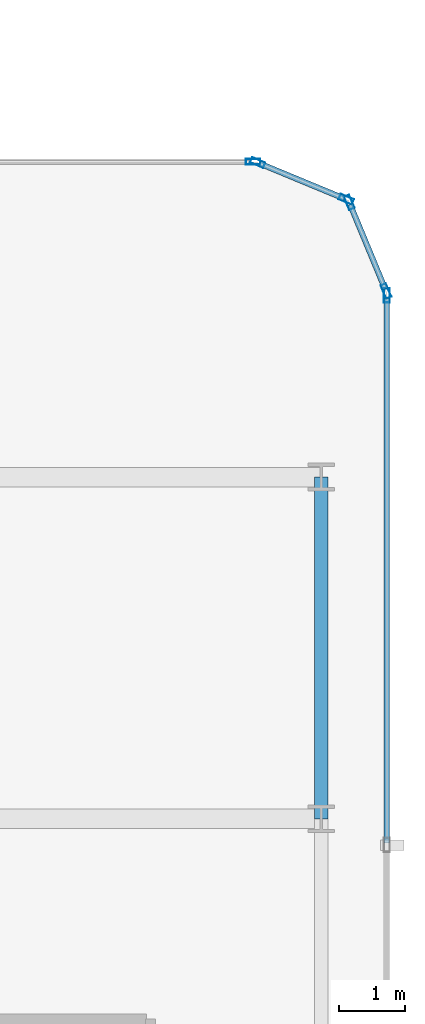
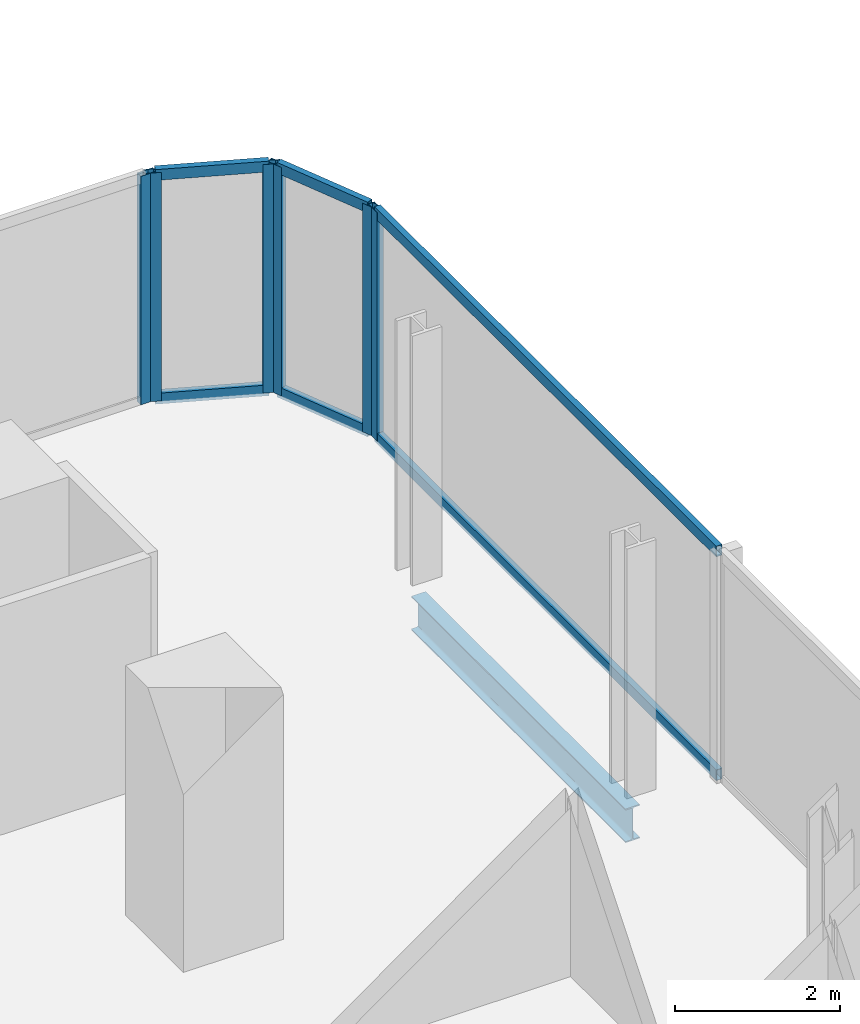
# One storey, part 19 of 34: 12 members, 1 beam, 4 elements without a shape of their own.
"""IFC4 building model written with IfcOpenShell, lengths in metres."""

from ifc_helpers import new_model, si_unit, direction, frame, origin, origin_2d, place, context, subcontext, project, spatial, hollow_rectangle, i_section, extrude, material, layer, layer_set, material_profile, profile_set, type_object, element, aggregate, save


model = new_model("IFC4")

# Units and contexts
model_context = context("Model", 3, precision=1e-05, world=origin(), true_north=direction((0.0, 1.0)))
body_context = subcontext(model_context, "Body", "Model", "MODEL_VIEW")
ifc_project = project(units=[si_unit("LENGTHUNIT", "METRE"), si_unit("AREAUNIT", "SQUARE_METRE"), si_unit("VOLUMEUNIT", "CUBIC_METRE"), si_unit("PLANEANGLEUNIT", "RADIAN"), si_unit("MASSUNIT", "GRAM", prefix="KILO")], contexts=[model_context])

# Site, building, storey
site_placement = place(None, origin())
site = spatial("IfcSite", under=ifc_project, at=site_placement, CompositionType="ELEMENT")
building_placement = place(site_placement, origin())
building = spatial("IfcBuilding", under=site, at=building_placement, Name="Keshet Zoharim Tower", CompositionType="ELEMENT")
storey_placement = place(building_placement, frame((0.0, 0.0, 38.800048828125)))
storey = spatial("IfcBuildingStorey", under=building, at=storey_placement, Name="L08", CompositionType="ELEMENT", Elevation=38.800048828125)

# Beam
ifc_material_1 = material(Name="Steel S355", Category="steel")
ifc_material_profile_1 = material_profile(ifc_material_1, i_section(OverallWidth=0.199951171875, OverallDepth=0.5, WebThickness=0.01025390625, FlangeThickness=0.01611328125, FilletRadius=0.02099609375, at=origin_2d()), Name="IPE500")
ifc_profile_set_1 = profile_set([ifc_material_profile_1], Name="Steel S355")
beam_type = type_object("IfcBeamType", Name="BM-PRI-IP500", PredefinedType="BEAM", material=ifc_profile_set_1)
beam_placement = place(storey_placement, frame((69.0, 22.699951171875, -0.56494140625), z_axis=(0.0, 1.0, 0.0), x_axis=(-1.0, 0.0, 0.0)))
element("IfcBeam", 1, at=beam_placement, inside=storey, type_object=beam_type, Name="L08 Primary Girder Y-025", PredefinedType="BEAM", context=body_context, shape_type="SweptSolid", body=[
    extrude(i_section(OverallWidth=0.199951171875, OverallDepth=0.5, WebThickness=0.01025390625, FlangeThickness=0.01611328125, FilletRadius=0.02099609375, at=origin_2d()), origin(), (0.0, 0.0, 1.0), 5.199951171875),
])

# Curtain wall, member
ifc_material_2 = material(Name="Aluminium 6063-T6", Category="aluminium")
ifc_layer = layer(ifc_material_2, 0.169921875)
ifc_layer_set = layer_set([ifc_layer], Name="Aluminium 6063-T6")
curtain_wall_type = type_object("IfcCurtainWallType", Name="CW-SYS-02", PredefinedType="NOTDEFINED", material=ifc_layer_set)
curtain_wall_1_placement = place(storey_placement, origin())
curtain_wall_1 = element("IfcCurtainWall", 2, at=curtain_wall_1_placement, inside=storey, type_object=curtain_wall_type, Name="L08 Unitised Curtain Wall 13", PredefinedType="NOTDEFINED")
ifc_material_profile_2 = material_profile(ifc_material_2, hollow_rectangle(XDim=0.090087890625, YDim=0.219970703125, WallThickness=0.0048828125, at=origin_2d()), Name="MUL-90x220")
ifc_profile_set_2 = profile_set([ifc_material_profile_2], Name="Aluminium 6063-T6")
member_type_1 = type_object("IfcMemberType", Name="CWM-M22", PredefinedType="MULLION", material=ifc_profile_set_2)
member_1_placement = place(storey_placement, frame((67.965087890625, 32.699951171875, 0.0), z_axis=(0.0, 0.0, 1.0), x_axis=(0.0, 1.0, 0.0)))
member_1 = element("IfcMember", 3, at=member_1_placement, type_object=member_type_1, Name="CW-02 mullion 2", PredefinedType="MULLION", context=body_context, shape_type="SweptSolid", body=[
    extrude(hollow_rectangle(XDim=0.090087890625, YDim=0.219970703125, WallThickness=0.0048828125, at=origin_2d()), origin(), (0.0, 0.0, 1.0), 3.385009765625),
])
aggregate(curtain_wall_1, [member_1])

# Curtain wall, members
curtain_wall_2_placement = place(storey_placement, origin())
curtain_wall_2 = element("IfcCurtainWall", 4, at=curtain_wall_2_placement, inside=storey, type_object=curtain_wall_type, Name="L08 Unitised Curtain Wall 14", PredefinedType="NOTDEFINED")
member_2_placement = place(storey_placement, frame((68.0322265625, 32.6865234375, 0.0), z_axis=(0.0, 0.0, 1.0), x_axis=(0.382851849847, 0.92380975372, 0.0)))
member_2 = element("IfcMember", 5, at=member_2_placement, type_object=member_type_1, Name="CW-02 mullion 1", PredefinedType="MULLION", context=body_context, shape_type="SweptSolid", body=[
    extrude(hollow_rectangle(XDim=0.090087890625, YDim=0.219970703125, WallThickness=0.0048828125, at=origin_2d()), origin(), (0.0, 0.0, 1.0), 3.385009765625),
])
member_3_placement = place(storey_placement, frame((69.381591796875, 32.12744140625, 0.0), z_axis=(0.0, 0.0, 1.0), x_axis=(0.382851849847, 0.92380975372, 0.0)))
member_3 = element("IfcMember", 6, at=member_3_placement, type_object=member_type_1, Name="CW-02 mullion 2", PredefinedType="MULLION", context=body_context, shape_type="SweptSolid", body=[
    extrude(hollow_rectangle(XDim=0.090087890625, YDim=0.219970703125, WallThickness=0.0048828125, at=origin_2d()), origin(), (0.0, 0.0, 1.0), 3.385009765625),
])

curtain_wall_3_placement = place(storey_placement, origin())
curtain_wall_3 = element("IfcCurtainWall", 7, at=curtain_wall_3_placement, inside=storey, type_object=curtain_wall_type, Name="L08 Unitised Curtain Wall 15", PredefinedType="NOTDEFINED")
member_4_placement = place(storey_placement, frame((69.427490234375, 32.081787109375, 0.0), z_axis=(0.0, 0.0, 1.0), x_axis=(0.92380975372, 0.382851849847, 0.0)))
member_4 = element("IfcMember", 8, at=member_4_placement, type_object=member_type_1, Name="CW-02 mullion 1", PredefinedType="MULLION", context=body_context, shape_type="SweptSolid", body=[
    extrude(hollow_rectangle(XDim=0.090087890625, YDim=0.219970703125, WallThickness=0.0048828125, at=origin_2d()), origin(), (0.0, 0.0, 1.0), 3.385009765625),
])
member_5_placement = place(storey_placement, frame((69.986572265625, 30.732421875, 0.0), z_axis=(0.0, 0.0, 1.0), x_axis=(0.92380975372, 0.382851849847, 0.0)))
member_5 = element("IfcMember", 9, at=member_5_placement, type_object=member_type_1, Name="CW-02 mullion 2", PredefinedType="MULLION", context=body_context, shape_type="SweptSolid", body=[
    extrude(hollow_rectangle(XDim=0.090087890625, YDim=0.219970703125, WallThickness=0.0048828125, at=origin_2d()), origin(), (0.0, 0.0, 1.0), 3.385009765625),
])

# Curtain wall, member
curtain_wall_4_placement = place(storey_placement, origin())
curtain_wall_4 = element("IfcCurtainWall", 10, at=curtain_wall_4_placement, inside=storey, type_object=curtain_wall_type, Name="L08 Unitised Curtain Wall 16", PredefinedType="NOTDEFINED")
member_6_placement = place(storey_placement, frame((70.0, 30.6650390625, 0.0), z_axis=(0.0, 0.0, 1.0), x_axis=(1.0, 0.0, 0.0)))
member_6 = element("IfcMember", 11, at=member_6_placement, type_object=member_type_1, Name="CW-02 mullion 1", PredefinedType="MULLION", context=body_context, shape_type="SweptSolid", body=[
    extrude(hollow_rectangle(XDim=0.090087890625, YDim=0.219970703125, WallThickness=0.0048828125, at=origin_2d()), origin(), (0.0, 0.0, 1.0), 3.385009765625),
])

# Member
ifc_material_profile_3 = material_profile(ifc_material_2, hollow_rectangle(XDim=0.0849609375, YDim=0.159912109375, WallThickness=0.00439453125, at=origin_2d()), Name="TRN-85x160")
ifc_profile_set_3 = profile_set([ifc_material_profile_3], Name="Aluminium 6063-T6")
member_type_2 = type_object("IfcMemberType", Name="CWT-T16", PredefinedType="USERDEFINED", material=ifc_profile_set_3)
member_7_placement = place(storey_placement, frame((68.064697265625, 32.673095703125, 0.034912109375), z_axis=(0.923854189844, -0.382744609247, 0.0), x_axis=(0.382744609247, 0.923854189844, 0.0)))
member_7 = element("IfcMember", 12, at=member_7_placement, type_object=member_type_2, Name="CW-02 transom 1.1", ObjectType="TRANSOM", PredefinedType="USERDEFINED", context=body_context, shape_type="SweptSolid", body=[
    extrude(hollow_rectangle(XDim=0.0849609375, YDim=0.159912109375, WallThickness=0.00439453125, at=origin_2d()), origin(), (0.0, 0.0, 1.0), 1.390625),
])

member_8_placement = place(storey_placement, frame((68.064697265625, 32.673095703125, 3.349853515625), z_axis=(0.923854189844, -0.382744609247, 0.0), x_axis=(0.382744609247, 0.923854189844, 0.0)))
member_8 = element("IfcMember", 13, at=member_8_placement, type_object=member_type_2, Name="CW-02 transom 1.2", ObjectType="TRANSOM", PredefinedType="USERDEFINED", context=body_context, shape_type="SweptSolid", body=[
    extrude(hollow_rectangle(XDim=0.0849609375, YDim=0.159912109375, WallThickness=0.00439453125, at=origin_2d()), origin(), (0.0, 0.0, 1.0), 1.390625),
])

aggregate(curtain_wall_2, [member_2, member_3, member_7, member_8])

member_9_placement = place(storey_placement, frame((69.44091796875, 32.04931640625, 0.034912109375), z_axis=(0.382744609247, -0.923854189844, 0.0), x_axis=(0.923854189844, 0.382744609247, 0.0)))
member_9 = element("IfcMember", 14, at=member_9_placement, type_object=member_type_2, Name="CW-02 transom 1.1", ObjectType="TRANSOM", PredefinedType="USERDEFINED", context=body_context, shape_type="SweptSolid", body=[
    extrude(hollow_rectangle(XDim=0.0849609375, YDim=0.159912109375, WallThickness=0.00439453125, at=origin_2d()), origin(), (0.0, 0.0, 1.0), 1.390625),
])

member_10_placement = place(storey_placement, frame((69.44091796875, 32.04931640625, 3.349853515625), z_axis=(0.382744609247, -0.923854189844, 0.0), x_axis=(0.923854189844, 0.382744609247, 0.0)))
member_10 = element("IfcMember", 15, at=member_10_placement, type_object=member_type_2, Name="CW-02 transom 1.2", ObjectType="TRANSOM", PredefinedType="USERDEFINED", context=body_context, shape_type="SweptSolid", body=[
    extrude(hollow_rectangle(XDim=0.0849609375, YDim=0.159912109375, WallThickness=0.00439453125, at=origin_2d()), origin(), (0.0, 0.0, 1.0), 1.390625),
])

aggregate(curtain_wall_3, [member_4, member_5, member_9, member_10])

member_11_placement = place(storey_placement, frame((70.0, 30.6298828125, 0.034912109375), z_axis=(0.0, -1.0, 0.0), x_axis=(1.0, 0.0, 0.0)))
member_11 = element("IfcMember", 16, at=member_11_placement, type_object=member_type_2, Name="CW-02 transom 1.1", ObjectType="TRANSOM", PredefinedType="USERDEFINED", context=body_context, shape_type="SweptSolid", body=[
    extrude(hollow_rectangle(XDim=0.0849609375, YDim=0.159912109375, WallThickness=0.00439453125, at=origin_2d()), origin(), (0.0, 0.0, 1.0), 8.29638671875),
])

member_12_placement = place(storey_placement, frame((70.0, 30.6298828125, 3.349853515625), z_axis=(0.0, -1.0, 0.0), x_axis=(1.0, 0.0, 0.0)))
member_12 = element("IfcMember", 17, at=member_12_placement, type_object=member_type_2, Name="CW-02 transom 1.2", ObjectType="TRANSOM", PredefinedType="USERDEFINED", context=body_context, shape_type="SweptSolid", body=[
    extrude(hollow_rectangle(XDim=0.0849609375, YDim=0.159912109375, WallThickness=0.00439453125, at=origin_2d()), origin(), (0.0, 0.0, 1.0), 8.29638671875),
])

aggregate(curtain_wall_4, [member_6, member_11, member_12])

save(model, "model.ifc")
